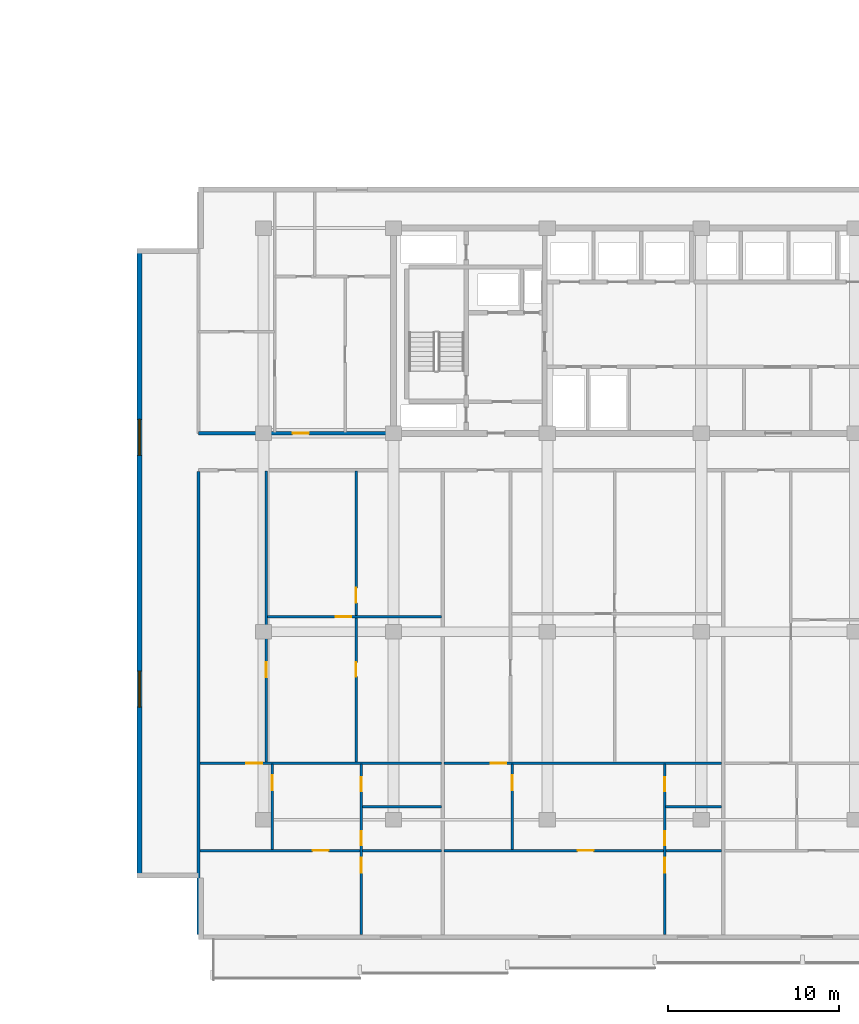
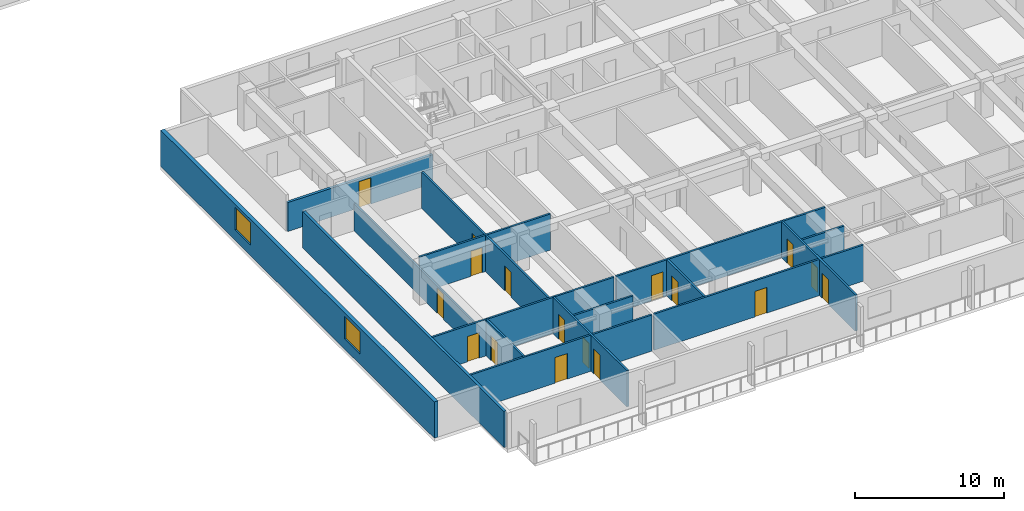
# One storey, part 4 of 23: 17 doors, 16 walls, 2 windows, 19 openings.
"""IFC4 building model written with IfcOpenShell, lengths in metres."""

from ifc_helpers import new_model, si_unit, direction, frame, frame_2d, origin, place, context, subcontext, project, spatial, rectangle, extrude, material, layer, layer_set, type_object, element, fill, save


model = new_model("IFC4")

# Units and contexts
model_context = context("Model", 3, precision=1e-05, world=origin(), true_north=direction((0.0, 1.0)))
body_context = subcontext(model_context, "Body", "Model", "MODEL_VIEW")
ifc_project = project(units=[si_unit("LENGTHUNIT", "METRE"), si_unit("AREAUNIT", "SQUARE_METRE"), si_unit("VOLUMEUNIT", "CUBIC_METRE"), si_unit("PLANEANGLEUNIT", "RADIAN"), si_unit("MASSUNIT", "GRAM", prefix="KILO")], contexts=[model_context])

# Site, building, storey
site_placement = place(None, origin())
site = spatial("IfcSite", under=ifc_project, at=site_placement, CompositionType="ELEMENT")
building_placement = place(site_placement, origin())
building = spatial("IfcBuilding", under=site, at=building_placement, Name="Korimba Cascade Residences", CompositionType="ELEMENT")
storey_placement = place(building_placement, frame((0.0, 0.0, 33.75)))
storey = spatial("IfcBuildingStorey", under=building, at=storey_placement, Name="L08", CompositionType="ELEMENT", Elevation=33.75)

# Wall, openings, windows
ifc_material_1 = material(Name="Precast concrete C40/50", Category="concrete")
ifc_layer_1 = layer(ifc_material_1, 0.300048828125)
ifc_layer_set_1 = layer_set([ifc_layer_1], Name="Precast concrete C40/50")
wall_type_1 = type_object("IfcWallType", Name="EW-STONE-300", PredefinedType="STANDARD", material=ifc_layer_set_1)
wall_1_placement = place(storey_placement, frame((67.25, 29.199951171875, 0.0), z_axis=(0.0, 0.0, 1.0), x_axis=(0.0, -1.0, 0.0)))
wall_1 = element("IfcWall", 1, at=wall_1_placement, inside=storey, type_object=wall_type_1, Name="L08 T2 Perimeter Stone Wall E09", PredefinedType="STANDARD", context=body_context, shape_type="SweptSolid", body=[
    extrude(rectangle(XDim=36.800048828125, YDim=0.300048828125, at=frame_2d((18.39990234375, 0.0))), origin(), (0.0, 0.0, 1.0), 2.969970703125),
])
opening_1_placement = place(wall_1_placement, frame((9.989990234375, 0.0, 0.85009765625)))
opening_1 = element("IfcOpeningElement", 2, at=opening_1_placement, cuts=wall_1, Name="Opening W-03", PredefinedType="OPENING", context=body_context, shape_type="SweptSolid", body=[
    extrude(rectangle(XDim=2.10009765625, YDim=1.85009765625, at=frame_2d((1.050048828125, 0.925048828125))), frame((0.0, 0.16015625, 0.0), z_axis=(0.0, -1.0, 0.0), x_axis=(1.0, 0.0, 0.0)), (0.0, 0.0, 1.0), 0.320068359375),
])
opening_2_placement = place(wall_1_placement, frame((24.7099609375, 0.0, 0.85009765625)))
opening_2 = element("IfcOpeningElement", 3, at=opening_2_placement, cuts=wall_1, Name="Opening W-03", PredefinedType="OPENING", context=body_context, shape_type="SweptSolid", body=[
    extrude(rectangle(XDim=2.10009765625, YDim=1.85009765625, at=frame_2d((1.050048828125, 0.925048828125))), frame((0.0, 0.16015625, 0.0), z_axis=(0.0, -1.0, 0.0), x_axis=(1.0, 0.0, 0.0)), (0.0, 0.0, 1.0), 0.320068359375),
])
ifc_material_2 = material(Name="Double-Glazed Aluminium Window", Category="aluminium")
window_type = type_object("IfcWindowType", Name="WIN-CRN-2100", PartitioningType="DOUBLE_PANEL_HORIZONTAL", PredefinedType="WINDOW", material=ifc_material_2)
window_1_placement = place(opening_1_placement, origin())
window_1 = element("IfcWindow", 4, at=window_1_placement, inside=storey, type_object=window_type, Name="L08 T2 End View Window 9.1", OverallHeight=1.85009765625, OverallWidth=2.10009765625, PartitioningType="DOUBLE_PANEL_HORIZONTAL", PredefinedType="WINDOW", context=body_context, shape_type="SweptSolid", body=[
    extrude(rectangle(XDim=2.10009765625, YDim=1.85009765625, at=frame_2d((1.050048828125, 0.925048828125))), frame((0.0, 0.030029296875, 0.0), z_axis=(0.0, -1.0, 0.0), x_axis=(1.0, 0.0, 0.0)), (0.0, 0.0, 1.0), 0.06005859375),
])
fill(opening_1, window_1)
window_2_placement = place(opening_2_placement, origin())
window_2 = element("IfcWindow", 5, at=window_2_placement, inside=storey, type_object=window_type, Name="L08 T2 End View Window 9.2", OverallHeight=1.85009765625, OverallWidth=2.10009765625, PartitioningType="DOUBLE_PANEL_HORIZONTAL", PredefinedType="WINDOW", context=body_context, shape_type="SweptSolid", body=[
    extrude(rectangle(XDim=2.10009765625, YDim=1.85009765625, at=frame_2d((1.050048828125, 0.925048828125))), frame((0.0, 0.030029296875, 0.0), z_axis=(0.0, -1.0, 0.0), x_axis=(1.0, 0.0, 0.0)), (0.0, 0.0, 1.0), 0.06005859375),
])
fill(opening_2, window_2)

# Wall, opening, door
ifc_layer_2 = layer(ifc_material_1, 0.199951171875)
ifc_layer_set_2 = layer_set([ifc_layer_2], Name="Precast concrete C40/50")
wall_type_2 = type_object("IfcWallType", Name="WAL-IT-200", PredefinedType="PARTITIONING", material=ifc_layer_set_2)
wall_2_placement = place(storey_placement, frame((70.699951171875, 18.39990234375, 0.0), z_axis=(0.0, 0.0, 1.0), x_axis=(1.0, 0.0, 0.0)))
wall_2 = element("IfcWall", 6, at=wall_2_placement, inside=storey, type_object=wall_type_2, Name="L08 Partition Wall WAL-L08-T2-FW-S", PredefinedType="PARTITIONING", context=body_context, shape_type="SweptSolid", body=[
    extrude(rectangle(XDim=11.25, YDim=0.199951171875, at=frame_2d((5.625, 0.0))), origin(), (0.0, 0.0, 1.0), 2.3701171875),
])
opening_3_placement = place(wall_2_placement, frame((5.50634765625, 0.0, 0.0)))
opening_3 = element("IfcOpeningElement", 7, at=opening_3_placement, cuts=wall_2, Name="Opening D-UN1", PredefinedType="OPENING", context=body_context, shape_type="SweptSolid", body=[
    extrude(rectangle(XDim=0.949951171875, YDim=2.14990234375, at=frame_2d((0.47509765625, 1.074951171875))), frame((0.0, 0.10986328125, 0.0), z_axis=(0.0, -1.0, 0.0), x_axis=(1.0, 0.0, 0.0)), (0.0, 0.0, 1.0), 0.219970703125),
])
ifc_material_3 = material(Name="Fire-Rated Hardwood Apartment Entrance Door", Category="wood")
door_type_1 = type_object("IfcDoorType", Name="DR-FD60-950", OperationType="NOTDEFINED", PredefinedType="DOOR", material=ifc_material_3)
door_1_placement = place(opening_3_placement, origin())
door_1 = element("IfcDoor", 8, at=door_1_placement, inside=storey, type_object=door_type_1, Name="L08-T2-FW Entrance Door", OperationType="SINGLE_SWING_LEFT", OverallHeight=2.14990234375, OverallWidth=0.949951171875, PredefinedType="DOOR", context=body_context, shape_type="SweptSolid", body=[
    extrude(rectangle(XDim=0.949951171875, YDim=2.14990234375, at=frame_2d((0.47509765625, 1.074951171875))), frame((0.0, 0.02490234375, 0.0), z_axis=(0.0, -1.0, 0.0), x_axis=(1.0, 0.0, 0.0)), (0.0, 0.0, 1.0), 0.050048828125),
])
fill(opening_3, door_1)

# Wall
wall_3_placement = place(storey_placement, frame((70.699951171875, -10.89990234375, 0.0), z_axis=(0.0, 0.0, 1.0), x_axis=(0.0, 1.0, 0.0)))
element("IfcWall", 9, at=wall_3_placement, inside=storey, type_object=wall_type_2, Name="L08 Partition Wall WAL-L08-T2-BNDWL", PredefinedType="PARTITIONING", context=body_context, shape_type="SweptSolid", body=[
    extrude(rectangle(XDim=27.06982421875, YDim=0.199951171875, at=frame_2d((13.534912109375, 0.0))), origin(), (0.0, 0.0, 1.0), 2.969970703125),
])

# Wall, openings, doors
ifc_material_4 = material(Name="Insulated Acoustic Stud Partition", Category="gypsum")
ifc_layer_3 = layer(ifc_material_4, 0.14990234375)
ifc_layer_set_3 = layer_set([ifc_layer_3], Name="Insulated Acoustic Stud Partition")
wall_type_3 = type_object("IfcWallType", Name="WAL-PART-150", PredefinedType="PARTITIONING", material=ifc_layer_set_3)
wall_4_placement = place(storey_placement, frame((79.9130859375, -0.860107421875, 0.0), z_axis=(0.0, 0.0, 1.0), x_axis=(0.0, 1.0, 0.0)))
wall_4 = element("IfcWall", 10, at=wall_4_placement, inside=storey, type_object=wall_type_3, Name="L08 Partition Wall WAL-L08-T2-U01-FMV", PredefinedType="PARTITIONING", context=body_context, shape_type="SweptSolid", body=[
    extrude(rectangle(XDim=17.050048828125, YDim=0.14990234375, at=frame_2d((8.52490234375, 0.0))), origin(), (0.0, 0.0, 1.0), 2.969970703125),
])
opening_4_placement = place(wall_4_placement, frame((5.026123046875, 0.0, 0.0)))
opening_4 = element("IfcOpeningElement", 11, at=opening_4_placement, cuts=wall_4, Name="Opening D-BT1", PredefinedType="OPENING", context=body_context, shape_type="SweptSolid", body=[
    extrude(rectangle(XDim=0.840087890625, YDim=2.0400390625, at=frame_2d((0.419921875, 1.02001953125))), frame((0.0, 0.0849609375, 0.0), z_axis=(0.0, -1.0, 0.0), x_axis=(1.0, 0.0, 0.0)), (0.0, 0.0, 1.0), 0.169921875),
])
opening_5_placement = place(wall_4_placement, frame((9.338623046875, 0.0, 0.0)))
opening_5 = element("IfcOpeningElement", 12, at=opening_5_placement, cuts=wall_4, Name="Opening D-IN2", PredefinedType="OPENING", context=body_context, shape_type="SweptSolid", body=[
    extrude(rectangle(XDim=0.8798828125, YDim=2.06005859375, at=frame_2d((0.43994140625, 1.030029296875))), frame((0.0, 0.0849609375, 0.0), z_axis=(0.0, -1.0, 0.0), x_axis=(1.0, 0.0, 0.0)), (0.0, 0.0, 1.0), 0.169921875),
])
ifc_material_5 = material(Name="Moisture-Resistant Bathroom Timber Door", Category="wood")
door_type_2 = type_object("IfcDoorType", Name="DR-INT-850", OperationType="NOTDEFINED", PredefinedType="DOOR", material=ifc_material_5)
door_2_placement = place(opening_4_placement, origin())
door_2 = element("IfcDoor", 13, at=door_2_placement, inside=storey, type_object=door_type_2, Name="L08-T2-U01 Wardrobe Door", OperationType="SINGLE_SWING_RIGHT", OverallHeight=2.0400390625, OverallWidth=0.840087890625, PredefinedType="DOOR", context=body_context, shape_type="SweptSolid", body=[
    extrude(rectangle(XDim=0.840087890625, YDim=2.0400390625, at=frame_2d((0.419921875, 1.02001953125))), frame((0.0, 0.02490234375, 0.0), z_axis=(0.0, -1.0, 0.0), x_axis=(1.0, 0.0, 0.0)), (0.0, 0.0, 1.0), 0.050048828125),
])
fill(opening_4, door_2)
ifc_material_6 = material(Name="Acoustic Timber Bedroom Door", Category="wood")
door_type_3 = type_object("IfcDoorType", Name="DR-INT-880", OperationType="NOTDEFINED", PredefinedType="DOOR", material=ifc_material_6)
door_3_placement = place(opening_5_placement, origin())
door_3 = element("IfcDoor", 14, at=door_3_placement, inside=storey, type_object=door_type_3, Name="L08-T2-U01 Music Lounge Door", OperationType="SINGLE_SWING_LEFT", OverallHeight=2.06005859375, OverallWidth=0.8798828125, PredefinedType="DOOR", context=body_context, shape_type="SweptSolid", body=[
    extrude(rectangle(XDim=0.8798828125, YDim=2.06005859375, at=frame_2d((0.43994140625, 1.030029296875))), frame((0.0, 0.02490234375, 0.0), z_axis=(0.0, -1.0, 0.0), x_axis=(1.0, 0.0, 0.0)), (0.0, 0.0, 1.0), 0.050048828125),
])
fill(opening_5, door_3)

# Wall, opening, door
wall_5_placement = place(storey_placement, frame((74.72998046875, 7.6650390625, 0.0), z_axis=(0.0, 0.0, 1.0), x_axis=(1.0, 0.0, 0.0)))
wall_5 = element("IfcWall", 15, at=wall_5_placement, inside=storey, type_object=wall_type_3, Name="L08 Partition Wall WAL-L08-T2-U01-FMH", PredefinedType="PARTITIONING", context=body_context, shape_type="SweptSolid", body=[
    extrude(rectangle(XDim=10.166015625, YDim=0.14990234375, at=frame_2d((5.0830078125, 0.0))), origin(), (0.0, 0.0, 1.0), 2.969970703125),
])
opening_6_placement = place(wall_5_placement, frame((4.00830078125, 0.0, 0.0)))
opening_6 = element("IfcOpeningElement", 16, at=opening_6_placement, cuts=wall_5, Name="Opening D-IN2", PredefinedType="OPENING", context=body_context, shape_type="SweptSolid", body=[
    extrude(rectangle(XDim=0.8798828125, YDim=2.06005859375, at=frame_2d((0.43994140625, 1.030029296875))), frame((0.0, 0.0849609375, 0.0), z_axis=(0.0, -1.0, 0.0), x_axis=(1.0, 0.0, 0.0)), (0.0, 0.0, 1.0), 0.169921875),
])
door_4_placement = place(opening_6_placement, origin())
door_4 = element("IfcDoor", 17, at=door_4_placement, inside=storey, type_object=door_type_3, Name="L08-T2-U01 Library Salon Door", OperationType="SINGLE_SWING_RIGHT", OverallHeight=2.06005859375, OverallWidth=0.8798828125, PredefinedType="DOOR", context=body_context, shape_type="SweptSolid", body=[
    extrude(rectangle(XDim=0.8798828125, YDim=2.06005859375, at=frame_2d((0.43994140625, 1.030029296875))), frame((0.0, 0.02490234375, 0.0), z_axis=(0.0, -1.0, 0.0), x_axis=(1.0, 0.0, 0.0)), (0.0, 0.0, 1.0), 0.050048828125),
])
fill(opening_6, door_4)

wall_6_placement = place(storey_placement, frame((74.669921875, -0.860107421875, 0.0), z_axis=(0.0, 0.0, 1.0), x_axis=(0.0, 1.0, 0.0)))
wall_6 = element("IfcWall", 18, at=wall_6_placement, inside=storey, type_object=wall_type_3, Name="L08 Partition Wall WAL-L08-T2-U01-FV", PredefinedType="PARTITIONING", context=body_context, shape_type="SweptSolid", body=[
    extrude(rectangle(XDim=17.050048828125, YDim=0.14990234375, at=frame_2d((8.52490234375, 0.0))), origin(), (0.0, 0.0, 1.0), 2.219970703125),
])
opening_7_placement = place(wall_6_placement, frame((4.999755859375, 0.0, 0.0)))
opening_7 = element("IfcOpeningElement", 19, at=opening_7_placement, cuts=wall_6, Name="Opening D-IN2", PredefinedType="OPENING", context=body_context, shape_type="SweptSolid", body=[
    extrude(rectangle(XDim=0.8798828125, YDim=2.06005859375, at=frame_2d((0.43994140625, 1.030029296875))), frame((0.0, 0.0849609375, 0.0), z_axis=(0.0, -1.0, 0.0), x_axis=(1.0, 0.0, 0.0)), (0.0, 0.0, 1.0), 0.169921875),
])
door_5_placement = place(opening_7_placement, origin())
door_5 = element("IfcDoor", 20, at=door_5_placement, inside=storey, type_object=door_type_3, Name="L08-T2-U01 Media Lounge Door", OperationType="SINGLE_SWING_LEFT", OverallHeight=2.06005859375, OverallWidth=0.8798828125, PredefinedType="DOOR", context=body_context, shape_type="SweptSolid", body=[
    extrude(rectangle(XDim=0.8798828125, YDim=2.06005859375, at=frame_2d((0.43994140625, 1.030029296875))), frame((0.0, 0.02490234375, 0.0), z_axis=(0.0, -1.0, 0.0), x_axis=(1.0, 0.0, 0.0)), (0.0, 0.0, 1.0), 0.050048828125),
])
fill(opening_7, door_5)

wall_7_placement = place(storey_placement, frame((75.02001953125, -5.93994140625, 0.0), z_axis=(0.0, 0.0, 1.0), x_axis=(0.0, 1.0, 0.0)))
wall_7 = element("IfcWall", 21, at=wall_7_placement, inside=storey, type_object=wall_type_3, Name="L08 Partition Wall WAL-L08-T2-U01-VDIN", PredefinedType="PARTITIONING", context=body_context, shape_type="SweptSolid", body=[
    extrude(rectangle(XDim=5.0, YDim=0.14990234375, at=frame_2d((2.5, 0.0))), origin(), (0.0, 0.0, 1.0), 2.969970703125),
])
opening_8_placement = place(wall_7_placement, frame((3.454345703125, 0.0, 0.0)))
opening_8 = element("IfcOpeningElement", 22, at=opening_8_placement, cuts=wall_7, Name="Opening D-IN2", PredefinedType="OPENING", context=body_context, shape_type="SweptSolid", body=[
    extrude(rectangle(XDim=0.8798828125, YDim=2.06005859375, at=frame_2d((0.43994140625, 1.030029296875))), frame((0.0, 0.0849609375, 0.0), z_axis=(0.0, -1.0, 0.0), x_axis=(1.0, 0.0, 0.0)), (0.0, 0.0, 1.0), 0.169921875),
])
door_6_placement = place(opening_8_placement, origin())
door_6 = element("IfcDoor", 23, at=door_6_placement, inside=storey, type_object=door_type_3, Name="L08-T2-U01 Dining Room Door", OperationType="SINGLE_SWING_RIGHT", OverallHeight=2.06005859375, OverallWidth=0.8798828125, PredefinedType="DOOR", context=body_context, shape_type="SweptSolid", body=[
    extrude(rectangle(XDim=0.8798828125, YDim=2.06005859375, at=frame_2d((0.43994140625, 1.030029296875))), frame((0.0, 0.02490234375, 0.0), z_axis=(0.0, -1.0, 0.0), x_axis=(1.0, 0.0, 0.0)), (0.0, 0.0, 1.0), 0.050048828125),
])
fill(opening_8, door_6)

# Wall
wall_8_placement = place(storey_placement, frame((80.280029296875, -3.43994140625, 0.0), z_axis=(0.0, 0.0, 1.0), x_axis=(1.0, 0.0, 0.0)))
element("IfcWall", 24, at=wall_8_placement, inside=storey, type_object=wall_type_3, Name="L08 Partition Wall WAL-L08-T2-U01-BLDIV", PredefinedType="PARTITIONING", context=body_context, shape_type="SweptSolid", body=[
    extrude(rectangle(XDim=4.615966796875, YDim=0.14990234375, at=frame_2d((2.30810546875, 0.0))), origin(), (0.0, 0.0, 1.0), 2.969970703125),
])

# Wall, openings, doors
wall_9_placement = place(storey_placement, frame((80.219970703125, -10.89990234375, 0.0), z_axis=(0.0, 0.0, 1.0), x_axis=(0.0, 1.0, 0.0)))
wall_9 = element("IfcWall", 25, at=wall_9_placement, inside=storey, type_object=wall_type_3, Name="L08 Partition Wall WAL-L08-T2-U01-V1", PredefinedType="PARTITIONING", context=body_context, shape_type="SweptSolid", body=[
    extrude(rectangle(XDim=9.9599609375, YDim=0.14990234375, at=frame_2d((4.97998046875, 0.0))), origin(), (0.0, 0.0, 1.0), 2.969970703125),
])
opening_9_placement = place(wall_9_placement, frame((5.199951171875, 0.0, 0.0)))
opening_9 = element("IfcOpeningElement", 26, at=opening_9_placement, cuts=wall_9, Name="Opening D-BT1", PredefinedType="OPENING", context=body_context, shape_type="SweptSolid", body=[
    extrude(rectangle(XDim=0.840087890625, YDim=2.0400390625, at=frame_2d((0.419921875, 1.02001953125))), frame((0.0, 0.0849609375, 0.0), z_axis=(0.0, -1.0, 0.0), x_axis=(1.0, 0.0, 0.0)), (0.0, 0.0, 1.0), 0.169921875),
])
opening_10_placement = place(wall_9_placement, frame((8.359130859375, 0.0, 0.0)))
opening_10 = element("IfcOpeningElement", 27, at=opening_10_placement, cuts=wall_9, Name="Opening D-BT1", PredefinedType="OPENING", context=body_context, shape_type="SweptSolid", body=[
    extrude(rectangle(XDim=0.840087890625, YDim=2.0400390625, at=frame_2d((0.419921875, 1.02001953125))), frame((0.0, 0.0849609375, 0.0), z_axis=(0.0, -1.0, 0.0), x_axis=(1.0, 0.0, 0.0)), (0.0, 0.0, 1.0), 0.169921875),
])
opening_11_placement = place(wall_9_placement, frame((3.60009765625, 0.0, 0.0)))
opening_11 = element("IfcOpeningElement", 28, at=opening_11_placement, cuts=wall_9, Name="Opening D-IN2", PredefinedType="OPENING", context=body_context, shape_type="SweptSolid", body=[
    extrude(rectangle(XDim=0.8798828125, YDim=2.06005859375, at=frame_2d((0.43994140625, 1.030029296875))), frame((0.0, 0.0849609375, 0.0), z_axis=(0.0, -1.0, 0.0), x_axis=(1.0, 0.0, 0.0)), (0.0, 0.0, 1.0), 0.169921875),
])
door_7_placement = place(opening_9_placement, origin())
door_7 = element("IfcDoor", 29, at=door_7_placement, inside=storey, type_object=door_type_2, Name="L08-T2-U01 Bathroom Door", OperationType="SINGLE_SWING_LEFT", OverallHeight=2.0400390625, OverallWidth=0.840087890625, PredefinedType="DOOR", context=body_context, shape_type="SweptSolid", body=[
    extrude(rectangle(XDim=0.840087890625, YDim=2.0400390625, at=frame_2d((0.419921875, 1.02001953125))), frame((0.0, 0.02490234375, 0.0), z_axis=(0.0, -1.0, 0.0), x_axis=(1.0, 0.0, 0.0)), (0.0, 0.0, 1.0), 0.050048828125),
])
fill(opening_9, door_7)
door_8_placement = place(opening_10_placement, origin())
door_8 = element("IfcDoor", 30, at=door_8_placement, inside=storey, type_object=door_type_2, Name="L08-T2-U01 Laundry Door", OperationType="SINGLE_SWING_RIGHT", OverallHeight=2.0400390625, OverallWidth=0.840087890625, PredefinedType="DOOR", context=body_context, shape_type="SweptSolid", body=[
    extrude(rectangle(XDim=0.840087890625, YDim=2.0400390625, at=frame_2d((0.419921875, 1.02001953125))), frame((0.0, 0.02490234375, 0.0), z_axis=(0.0, -1.0, 0.0), x_axis=(1.0, 0.0, 0.0)), (0.0, 0.0, 1.0), 0.050048828125),
])
fill(opening_10, door_8)
door_9_placement = place(opening_11_placement, origin())
door_9 = element("IfcDoor", 31, at=door_9_placement, inside=storey, type_object=door_type_3, Name="L08-T2-U01 Bedroom 1 Door", OperationType="SINGLE_SWING_LEFT", OverallHeight=2.06005859375, OverallWidth=0.8798828125, PredefinedType="DOOR", context=body_context, shape_type="SweptSolid", body=[
    extrude(rectangle(XDim=0.8798828125, YDim=2.06005859375, at=frame_2d((0.43994140625, 1.030029296875))), frame((0.0, 0.02490234375, 0.0), z_axis=(0.0, -1.0, 0.0), x_axis=(1.0, 0.0, 0.0)), (0.0, 0.0, 1.0), 0.050048828125),
])
fill(opening_11, door_9)

# Wall, opening, door
wall_10_placement = place(storey_placement, frame((70.780029296875, -0.89990234375, 0.0), z_axis=(0.0, 0.0, 1.0), x_axis=(1.0, 0.0, 0.0)))
wall_10 = element("IfcWall", 32, at=wall_10_placement, inside=storey, type_object=wall_type_3, Name="L08 Partition Wall WAL-L08-T2-U01-MW", PredefinedType="PARTITIONING", context=body_context, shape_type="SweptSolid", body=[
    extrude(rectangle(XDim=14.115966796875, YDim=0.14990234375, at=frame_2d((7.05810546875, 0.0))), origin(), (0.0, 0.0, 1.0), 2.969970703125),
])
opening_12_placement = place(wall_10_placement, frame((2.719970703125, 0.0, 0.0)))
opening_12 = element("IfcOpeningElement", 33, at=opening_12_placement, cuts=wall_10, Name="Opening D-IN1", PredefinedType="OPENING", context=body_context, shape_type="SweptSolid", body=[
    extrude(rectangle(XDim=0.919921875, YDim=2.080078125, at=frame_2d((0.4599609375, 1.0400390625))), frame((0.0, 0.0849609375, 0.0), z_axis=(0.0, -1.0, 0.0), x_axis=(1.0, 0.0, 0.0)), (0.0, 0.0, 1.0), 0.169921875),
])
ifc_material_7 = material(Name="Acoustic Timber Living Door", Category="wood")
door_type_4 = type_object("IfcDoorType", Name="DR-INT-920", OperationType="NOTDEFINED", PredefinedType="DOOR", material=ifc_material_7)
door_10_placement = place(opening_12_placement, origin())
door_10 = element("IfcDoor", 34, at=door_10_placement, inside=storey, type_object=door_type_4, Name="L08-T2-U01 Kitchen Archway Door", OperationType="SINGLE_SWING_RIGHT", OverallHeight=2.080078125, OverallWidth=0.919921875, PredefinedType="DOOR", context=body_context, shape_type="SweptSolid", body=[
    extrude(rectangle(XDim=0.919921875, YDim=2.080078125, at=frame_2d((0.4599609375, 1.0400390625))), frame((0.0, 0.02490234375, 0.0), z_axis=(0.0, -1.0, 0.0), x_axis=(1.0, 0.0, 0.0)), (0.0, 0.0, 1.0), 0.050048828125),
])
fill(opening_12, door_10)

wall_11_placement = place(storey_placement, frame((70.780029296875, -6.0, 0.0), z_axis=(0.0, 0.0, 1.0), x_axis=(1.0, 0.0, 0.0)))
wall_11 = element("IfcWall", 35, at=wall_11_placement, inside=storey, type_object=wall_type_3, Name="L08 Partition Wall WAL-L08-T2-U01-HZ", PredefinedType="PARTITIONING", context=body_context, shape_type="SweptSolid", body=[
    extrude(rectangle(XDim=14.115966796875, YDim=0.14990234375, at=frame_2d((7.05810546875, 0.0))), origin(), (0.0, 0.0, 1.0), 2.969970703125),
])
opening_13_placement = place(wall_11_placement, frame((6.587890625, 0.0, 0.0)))
opening_13 = element("IfcOpeningElement", 36, at=opening_13_placement, cuts=wall_11, Name="Opening D-IN0", PredefinedType="OPENING", context=body_context, shape_type="SweptSolid", body=[
    extrude(rectangle(XDim=0.93994140625, YDim=2.10009765625, at=frame_2d((0.469970703125, 1.050048828125))), frame((0.0, 0.0849609375, 0.0), z_axis=(0.0, -1.0, 0.0), x_axis=(1.0, 0.0, 0.0)), (0.0, 0.0, 1.0), 0.169921875),
])
ifc_material_8 = material(Name="Acoustic Timber Living Archway Door", Category="wood")
door_type_5 = type_object("IfcDoorType", Name="DR-INT-950", OperationType="NOTDEFINED", PredefinedType="DOOR", material=ifc_material_8)
door_11_placement = place(opening_13_placement, origin())
door_11 = element("IfcDoor", 37, at=door_11_placement, inside=storey, type_object=door_type_5, Name="L08-T2-U01 Living Archway Door", OperationType="SINGLE_SWING_LEFT", OverallHeight=2.10009765625, OverallWidth=0.93994140625, PredefinedType="DOOR", context=body_context, shape_type="SweptSolid", body=[
    extrude(rectangle(XDim=0.93994140625, YDim=2.10009765625, at=frame_2d((0.469970703125, 1.050048828125))), frame((0.0, 0.02490234375, 0.0), z_axis=(0.0, -1.0, 0.0), x_axis=(1.0, 0.0, 0.0)), (0.0, 0.0, 1.0), 0.050048828125),
])
fill(opening_13, door_11)

wall_12_placement = place(storey_placement, frame((89.0458984375, -5.93994140625, 0.0), z_axis=(0.0, 0.0, 1.0), x_axis=(0.0, 1.0, 0.0)))
wall_12 = element("IfcWall", 38, at=wall_12_placement, inside=storey, type_object=wall_type_3, Name="L08 Partition Wall WAL-L08-T2-U02-VDIN", PredefinedType="PARTITIONING", context=body_context, shape_type="SweptSolid", body=[
    extrude(rectangle(XDim=5.0, YDim=0.14990234375, at=frame_2d((2.5, 0.0))), origin(), (0.0, 0.0, 1.0), 2.969970703125),
])
opening_14_placement = place(wall_12_placement, frame((3.454345703125, 0.0, 0.0)))
opening_14 = element("IfcOpeningElement", 39, at=opening_14_placement, cuts=wall_12, Name="Opening D-IN2", PredefinedType="OPENING", context=body_context, shape_type="SweptSolid", body=[
    extrude(rectangle(XDim=0.8798828125, YDim=2.06005859375, at=frame_2d((0.43994140625, 1.030029296875))), frame((0.0, 0.0849609375, 0.0), z_axis=(0.0, -1.0, 0.0), x_axis=(1.0, 0.0, 0.0)), (0.0, 0.0, 1.0), 0.169921875),
])
door_12_placement = place(opening_14_placement, origin())
door_12 = element("IfcDoor", 40, at=door_12_placement, inside=storey, type_object=door_type_3, Name="L08-T2-U02 Dining Room Door", OperationType="SINGLE_SWING_RIGHT", OverallHeight=2.06005859375, OverallWidth=0.8798828125, PredefinedType="DOOR", context=body_context, shape_type="SweptSolid", body=[
    extrude(rectangle(XDim=0.8798828125, YDim=2.06005859375, at=frame_2d((0.43994140625, 1.030029296875))), frame((0.0, 0.02490234375, 0.0), z_axis=(0.0, -1.0, 0.0), x_axis=(1.0, 0.0, 0.0)), (0.0, 0.0, 1.0), 0.050048828125),
])
fill(opening_14, door_12)

# Wall
wall_13_placement = place(storey_placement, frame((98.014892578125, -3.43994140625, 0.0), z_axis=(0.0, 0.0, 1.0), x_axis=(1.0, 0.0, 0.0)))
element("IfcWall", 41, at=wall_13_placement, inside=storey, type_object=wall_type_3, Name="L08 Partition Wall WAL-L08-T2-U02-BLDIV", PredefinedType="PARTITIONING", context=body_context, shape_type="SweptSolid", body=[
    extrude(rectangle(XDim=3.280029296875, YDim=0.14990234375, at=frame_2d((1.64013671875, 0.0))), origin(), (0.0, 0.0, 1.0), 2.969970703125),
])

# Wall, openings, doors
wall_14_placement = place(storey_placement, frame((97.955078125, -10.89990234375, 0.0), z_axis=(0.0, 0.0, 1.0), x_axis=(0.0, 1.0, 0.0)))
wall_14 = element("IfcWall", 42, at=wall_14_placement, inside=storey, type_object=wall_type_3, Name="L08 Partition Wall WAL-L08-T2-U02-V1", PredefinedType="PARTITIONING", context=body_context, shape_type="SweptSolid", body=[
    extrude(rectangle(XDim=9.9599609375, YDim=0.14990234375, at=frame_2d((4.97998046875, 0.0))), origin(), (0.0, 0.0, 1.0), 2.969970703125),
])
opening_15_placement = place(wall_14_placement, frame((5.199951171875, 0.0, 0.0)))
opening_15 = element("IfcOpeningElement", 43, at=opening_15_placement, cuts=wall_14, Name="Opening D-BT1", PredefinedType="OPENING", context=body_context, shape_type="SweptSolid", body=[
    extrude(rectangle(XDim=0.840087890625, YDim=2.0400390625, at=frame_2d((0.419921875, 1.02001953125))), frame((0.0, 0.0849609375, 0.0), z_axis=(0.0, -1.0, 0.0), x_axis=(1.0, 0.0, 0.0)), (0.0, 0.0, 1.0), 0.169921875),
])
opening_16_placement = place(wall_14_placement, frame((8.359130859375, 0.0, 0.0)))
opening_16 = element("IfcOpeningElement", 44, at=opening_16_placement, cuts=wall_14, Name="Opening D-BT1", PredefinedType="OPENING", context=body_context, shape_type="SweptSolid", body=[
    extrude(rectangle(XDim=0.840087890625, YDim=2.0400390625, at=frame_2d((0.419921875, 1.02001953125))), frame((0.0, 0.0849609375, 0.0), z_axis=(0.0, -1.0, 0.0), x_axis=(1.0, 0.0, 0.0)), (0.0, 0.0, 1.0), 0.169921875),
])
opening_17_placement = place(wall_14_placement, frame((3.60009765625, 0.0, 0.0)))
opening_17 = element("IfcOpeningElement", 45, at=opening_17_placement, cuts=wall_14, Name="Opening D-IN2", PredefinedType="OPENING", context=body_context, shape_type="SweptSolid", body=[
    extrude(rectangle(XDim=0.8798828125, YDim=2.06005859375, at=frame_2d((0.43994140625, 1.030029296875))), frame((0.0, 0.0849609375, 0.0), z_axis=(0.0, -1.0, 0.0), x_axis=(1.0, 0.0, 0.0)), (0.0, 0.0, 1.0), 0.169921875),
])
door_13_placement = place(opening_15_placement, origin())
door_13 = element("IfcDoor", 46, at=door_13_placement, inside=storey, type_object=door_type_2, Name="L08-T2-U02 Bathroom Door", OperationType="SINGLE_SWING_LEFT", OverallHeight=2.0400390625, OverallWidth=0.840087890625, PredefinedType="DOOR", context=body_context, shape_type="SweptSolid", body=[
    extrude(rectangle(XDim=0.840087890625, YDim=2.0400390625, at=frame_2d((0.419921875, 1.02001953125))), frame((0.0, 0.02490234375, 0.0), z_axis=(0.0, -1.0, 0.0), x_axis=(1.0, 0.0, 0.0)), (0.0, 0.0, 1.0), 0.050048828125),
])
fill(opening_15, door_13)
door_14_placement = place(opening_16_placement, origin())
door_14 = element("IfcDoor", 47, at=door_14_placement, inside=storey, type_object=door_type_2, Name="L08-T2-U02 Laundry Door", OperationType="SINGLE_SWING_RIGHT", OverallHeight=2.0400390625, OverallWidth=0.840087890625, PredefinedType="DOOR", context=body_context, shape_type="SweptSolid", body=[
    extrude(rectangle(XDim=0.840087890625, YDim=2.0400390625, at=frame_2d((0.419921875, 1.02001953125))), frame((0.0, 0.02490234375, 0.0), z_axis=(0.0, -1.0, 0.0), x_axis=(1.0, 0.0, 0.0)), (0.0, 0.0, 1.0), 0.050048828125),
])
fill(opening_16, door_14)
door_15_placement = place(opening_17_placement, origin())
door_15 = element("IfcDoor", 48, at=door_15_placement, inside=storey, type_object=door_type_3, Name="L08-T2-U02 Bedroom 1 Door", OperationType="SINGLE_SWING_LEFT", OverallHeight=2.06005859375, OverallWidth=0.8798828125, PredefinedType="DOOR", context=body_context, shape_type="SweptSolid", body=[
    extrude(rectangle(XDim=0.8798828125, YDim=2.06005859375, at=frame_2d((0.43994140625, 1.030029296875))), frame((0.0, 0.02490234375, 0.0), z_axis=(0.0, -1.0, 0.0), x_axis=(1.0, 0.0, 0.0)), (0.0, 0.0, 1.0), 0.050048828125),
])
fill(opening_17, door_15)

# Wall, opening, door
wall_15_placement = place(storey_placement, frame((85.055908203125, -0.89990234375, 0.0), z_axis=(0.0, 0.0, 1.0), x_axis=(1.0, 0.0, 0.0)))
wall_15 = element("IfcWall", 49, at=wall_15_placement, inside=storey, type_object=wall_type_3, Name="L08 Partition Wall WAL-L08-T2-U02-MW", PredefinedType="PARTITIONING", context=body_context, shape_type="SweptSolid", body=[
    extrude(rectangle(XDim=16.239013671875, YDim=0.14990234375, at=frame_2d((8.11962890625, 0.0))), origin(), (0.0, 0.0, 1.0), 2.969970703125),
])
opening_18_placement = place(wall_15_placement, frame((2.719970703125, 0.0, 0.0)))
opening_18 = element("IfcOpeningElement", 50, at=opening_18_placement, cuts=wall_15, Name="Opening D-IN1", PredefinedType="OPENING", context=body_context, shape_type="SweptSolid", body=[
    extrude(rectangle(XDim=0.919921875, YDim=2.080078125, at=frame_2d((0.4599609375, 1.0400390625))), frame((0.0, 0.0849609375, 0.0), z_axis=(0.0, -1.0, 0.0), x_axis=(1.0, 0.0, 0.0)), (0.0, 0.0, 1.0), 0.169921875),
])
door_16_placement = place(opening_18_placement, origin())
door_16 = element("IfcDoor", 51, at=door_16_placement, inside=storey, type_object=door_type_4, Name="L08-T2-U02 Kitchen Archway Door", OperationType="SINGLE_SWING_RIGHT", OverallHeight=2.080078125, OverallWidth=0.919921875, PredefinedType="DOOR", context=body_context, shape_type="SweptSolid", body=[
    extrude(rectangle(XDim=0.919921875, YDim=2.080078125, at=frame_2d((0.4599609375, 1.0400390625))), frame((0.0, 0.02490234375, 0.0), z_axis=(0.0, -1.0, 0.0), x_axis=(1.0, 0.0, 0.0)), (0.0, 0.0, 1.0), 0.050048828125),
])
fill(opening_18, door_16)

wall_16_placement = place(storey_placement, frame((85.055908203125, -6.0, 0.0), z_axis=(0.0, 0.0, 1.0), x_axis=(1.0, 0.0, 0.0)))
wall_16 = element("IfcWall", 52, at=wall_16_placement, inside=storey, type_object=wall_type_3, Name="L08 Partition Wall WAL-L08-T2-U02-HZ", PredefinedType="PARTITIONING", context=body_context, shape_type="SweptSolid", body=[
    extrude(rectangle(XDim=16.239013671875, YDim=0.14990234375, at=frame_2d((8.11962890625, 0.0))), origin(), (0.0, 0.0, 1.0), 2.969970703125),
])
opening_19_placement = place(wall_16_placement, frame((7.81298828125, 0.0, 0.0)))
opening_19 = element("IfcOpeningElement", 53, at=opening_19_placement, cuts=wall_16, Name="Opening D-IN0", PredefinedType="OPENING", context=body_context, shape_type="SweptSolid", body=[
    extrude(rectangle(XDim=0.93994140625, YDim=2.10009765625, at=frame_2d((0.469970703125, 1.050048828125))), frame((0.0, 0.0849609375, 0.0), z_axis=(0.0, -1.0, 0.0), x_axis=(1.0, 0.0, 0.0)), (0.0, 0.0, 1.0), 0.169921875),
])
door_17_placement = place(opening_19_placement, origin())
door_17 = element("IfcDoor", 54, at=door_17_placement, inside=storey, type_object=door_type_5, Name="L08-T2-U02 Living Archway Door", OperationType="SINGLE_SWING_LEFT", OverallHeight=2.10009765625, OverallWidth=0.93994140625, PredefinedType="DOOR", context=body_context, shape_type="SweptSolid", body=[
    extrude(rectangle(XDim=0.93994140625, YDim=2.10009765625, at=frame_2d((0.469970703125, 1.050048828125))), frame((0.0, 0.02490234375, 0.0), z_axis=(0.0, -1.0, 0.0), x_axis=(1.0, 0.0, 0.0)), (0.0, 0.0, 1.0), 0.050048828125),
])
fill(opening_19, door_17)

save(model, "model.ifc")
